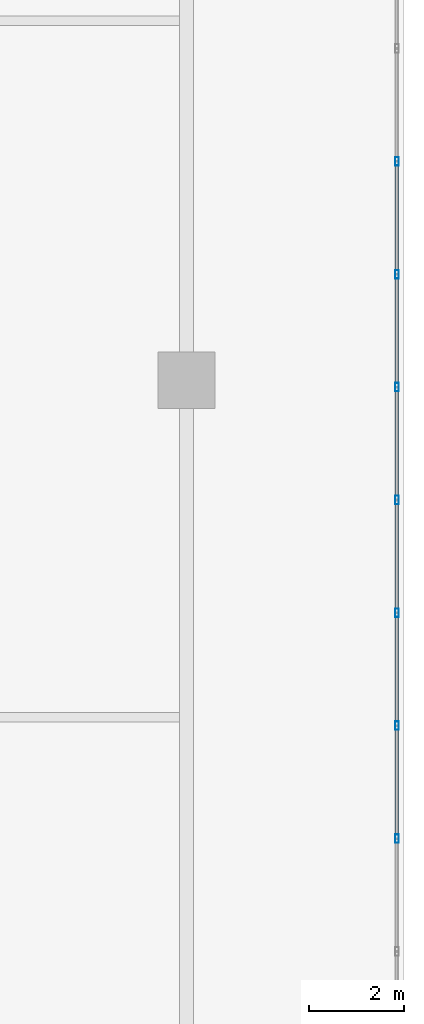
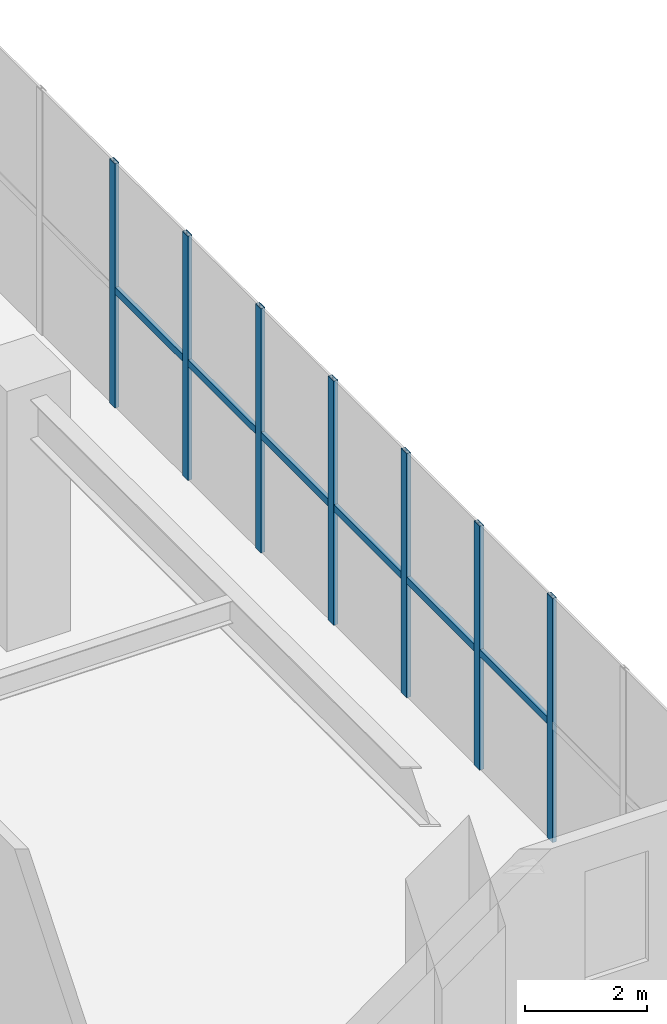
# One storey, part 22 of 40: 13 members, 1 element without a shape of its own.
"""IFC4 building model written with IfcOpenShell, lengths in metres."""

from ifc_helpers import new_model, si_unit, direction, frame, origin, origin_2d, place, context, subcontext, project, spatial, hollow_rectangle, extrude, source, transform, mapped, material, material_profile, profile_set, type_object, element, aggregate, save


model = new_model("IFC4")

# Units and contexts
model_context = context("Model", 3, precision=1e-05, world=origin(), true_north=direction((0.0, 1.0)))
body_context = subcontext(model_context, "Body", "Model", "MODEL_VIEW")
ifc_project = project(units=[si_unit("LENGTHUNIT", "METRE"), si_unit("AREAUNIT", "SQUARE_METRE"), si_unit("VOLUMEUNIT", "CUBIC_METRE"), si_unit("PLANEANGLEUNIT", "RADIAN"), si_unit("MASSUNIT", "GRAM", prefix="KILO")], contexts=[model_context])

# Site, building, storey
site_placement = place(None, origin())
site = spatial("IfcSite", under=ifc_project, at=site_placement, CompositionType="ELEMENT")
building_placement = place(site_placement, origin())
building = spatial("IfcBuilding", under=site, at=building_placement, Name="Trelvane Seafront Commons", CompositionType="ELEMENT")
storey_placement = place(building_placement, origin())
storey = spatial("IfcBuildingStorey", under=building, at=storey_placement, Name="L00", CompositionType="ELEMENT", Elevation=0.0)

# Curtain wall, members
ifc_material = material(Name="Anodised pale-silver aluminium", Category="aluminium")
curtain_wall_type = type_object("IfcCurtainWallType", Name="ARCH-CW4-SKYLOBBY", PredefinedType="NOTDEFINED", material=ifc_material)
curtain_wall_placement = place(storey_placement, origin())
curtain_wall = element("IfcCurtainWall", 1, at=curtain_wall_placement, inside=storey, type_object=curtain_wall_type, Name="CW-L00-0005", PredefinedType="NOTDEFINED")
ifc_material_profile_1 = material_profile(ifc_material, hollow_rectangle(XDim=0.080078125, YDim=0.179931640625, WallThickness=0.00439453125, at=origin_2d()), Name="MULL-80x180x4.5")
ifc_profile_set_1 = profile_set([ifc_material_profile_1], Name="Anodised pale-silver aluminium")
member_type_1 = type_object("IfcMemberType", Name="ARCH-CW-MULL-180", PredefinedType="MULLION", material=ifc_profile_set_1)
shared_shape_1 = source(origin(), body_context, "Body", "SweptSolid", [
    extrude(hollow_rectangle(XDim=0.080078125, YDim=0.179931640625, WallThickness=0.00439453125, at=origin_2d()), origin(), (0.0, 0.0, 1.0), 4.8798828125),
])
member_1_placement = place(storey_placement, frame((76.449951171875, 22.825927734375, 0.0), z_axis=(0.0, 0.0, 1.0), x_axis=(1.0, 0.0, 0.0)))
member_1 = element("IfcMember", 2, at=member_1_placement, type_object=member_type_1, Name="CW-L00-0005-M12", PredefinedType="MULLION", context=body_context, shape_type="MappedRepresentation", body=[
    mapped(shared_shape_1, transform((0.0, 0.0, 0.0), x_axis=(1.0, 0.0, 0.0), y_axis=(0.0, 1.0, 0.0), z_axis=(0.0, 0.0, 1.0), scale=1.0)),
])
member_2_placement = place(storey_placement, frame((76.449951171875, 20.43896484375, 0.0), z_axis=(0.0, 0.0, 1.0), x_axis=(1.0, 0.0, 0.0)))
member_2 = element("IfcMember", 3, at=member_2_placement, type_object=member_type_1, Name="CW-L00-0005-M13", PredefinedType="MULLION", context=body_context, shape_type="MappedRepresentation", body=[
    mapped(shared_shape_1, transform((0.0, 0.0, 0.0), x_axis=(1.0, 0.0, 0.0), y_axis=(0.0, 1.0, 0.0), z_axis=(0.0, 0.0, 1.0), scale=1.0)),
])
member_3_placement = place(storey_placement, frame((76.449951171875, 18.052001953125, 0.0), z_axis=(0.0, 0.0, 1.0), x_axis=(1.0, 0.0, 0.0)))
member_3 = element("IfcMember", 4, at=member_3_placement, type_object=member_type_1, Name="CW-L00-0005-M14", PredefinedType="MULLION", context=body_context, shape_type="MappedRepresentation", body=[
    mapped(shared_shape_1, transform((0.0, 0.0, 0.0), x_axis=(1.0, 0.0, 0.0), y_axis=(0.0, 1.0, 0.0), z_axis=(0.0, 0.0, 1.0), scale=1.0)),
])
member_4_placement = place(storey_placement, frame((76.449951171875, 15.6650390625, 0.0), z_axis=(0.0, 0.0, 1.0), x_axis=(1.0, 0.0, 0.0)))
member_4 = element("IfcMember", 5, at=member_4_placement, type_object=member_type_1, Name="CW-L00-0005-M15", PredefinedType="MULLION", context=body_context, shape_type="MappedRepresentation", body=[
    mapped(shared_shape_1, transform((0.0, 0.0, 0.0), x_axis=(1.0, 0.0, 0.0), y_axis=(0.0, 1.0, 0.0), z_axis=(0.0, 0.0, 1.0), scale=1.0)),
])
member_5_placement = place(storey_placement, frame((76.449951171875, 13.278076171875, 0.0), z_axis=(0.0, 0.0, 1.0), x_axis=(1.0, 0.0, 0.0)))
member_5 = element("IfcMember", 6, at=member_5_placement, type_object=member_type_1, Name="CW-L00-0005-M16", PredefinedType="MULLION", context=body_context, shape_type="MappedRepresentation", body=[
    mapped(shared_shape_1, transform((0.0, 0.0, 0.0), x_axis=(1.0, 0.0, 0.0), y_axis=(0.0, 1.0, 0.0), z_axis=(0.0, 0.0, 1.0), scale=1.0)),
])
member_6_placement = place(storey_placement, frame((76.449951171875, 10.89111328125, 0.0), z_axis=(0.0, 0.0, 1.0), x_axis=(1.0, 0.0, 0.0)))
member_6 = element("IfcMember", 7, at=member_6_placement, type_object=member_type_1, Name="CW-L00-0005-M17", PredefinedType="MULLION", context=body_context, shape_type="MappedRepresentation", body=[
    mapped(shared_shape_1, transform((0.0, 0.0, 0.0), x_axis=(1.0, 0.0, 0.0), y_axis=(0.0, 1.0, 0.0), z_axis=(0.0, 0.0, 1.0), scale=1.0)),
])
member_7_placement = place(storey_placement, frame((76.449951171875, 8.50390625, 0.0), z_axis=(0.0, 0.0, 1.0), x_axis=(1.0, 0.0, 0.0)))
member_7 = element("IfcMember", 8, at=member_7_placement, type_object=member_type_1, Name="CW-L00-0005-M18", PredefinedType="MULLION", context=body_context, shape_type="MappedRepresentation", body=[
    mapped(shared_shape_1, transform((0.0, 0.0, 0.0), x_axis=(1.0, 0.0, 0.0), y_axis=(0.0, 1.0, 0.0), z_axis=(0.0, 0.0, 1.0), scale=1.0)),
])
ifc_material_profile_2 = material_profile(ifc_material, hollow_rectangle(XDim=0.074951171875, YDim=0.139892578125, WallThickness=0.00390625, at=origin_2d()), Name="TRAN-75x140x4")
ifc_profile_set_2 = profile_set([ifc_material_profile_2], Name="Anodised pale-silver aluminium")
member_type_2 = type_object("IfcMemberType", Name="ARCH-CW-TRAN-140", PredefinedType="USERDEFINED", material=ifc_profile_set_2)
shared_shape_2 = source(origin(), body_context, "Body", "SweptSolid", [
    extrude(hollow_rectangle(XDim=0.074951171875, YDim=0.139892578125, WallThickness=0.00390625, at=origin_2d()), origin(), (0.0, 0.0, 1.0), 2.363037109375),
])
member_8_placement = place(storey_placement, frame((76.449951171875, 22.81396484375, 2.342041015625), z_axis=(0.0, -1.0, 0.0), x_axis=(1.0, 0.0, 0.0)))
member_8 = element("IfcMember", 9, at=member_8_placement, type_object=member_type_2, Name="CW-L00-0005-T12", ObjectType="TRANSOM", PredefinedType="USERDEFINED", context=body_context, shape_type="MappedRepresentation", body=[
    mapped(shared_shape_2, transform((0.0, 0.0, 0.0), x_axis=(1.0, 0.0, 0.0), y_axis=(0.0, 1.0, 0.0), z_axis=(0.0, 0.0, 1.0), scale=1.0)),
])
member_9_placement = place(storey_placement, frame((76.449951171875, 20.427001953125, 2.342041015625), z_axis=(0.0, -1.0, 0.0), x_axis=(1.0, 0.0, 0.0)))
member_9 = element("IfcMember", 10, at=member_9_placement, type_object=member_type_2, Name="CW-L00-0005-T13", ObjectType="TRANSOM", PredefinedType="USERDEFINED", context=body_context, shape_type="MappedRepresentation", body=[
    mapped(shared_shape_2, transform((0.0, 0.0, 0.0), x_axis=(1.0, 0.0, 0.0), y_axis=(0.0, 1.0, 0.0), z_axis=(0.0, 0.0, 1.0), scale=1.0)),
])
member_10_placement = place(storey_placement, frame((76.449951171875, 18.0400390625, 2.342041015625), z_axis=(0.0, -1.0, 0.0), x_axis=(1.0, 0.0, 0.0)))
member_10 = element("IfcMember", 11, at=member_10_placement, type_object=member_type_2, Name="CW-L00-0005-T14", ObjectType="TRANSOM", PredefinedType="USERDEFINED", context=body_context, shape_type="MappedRepresentation", body=[
    mapped(shared_shape_2, transform((0.0, 0.0, 0.0), x_axis=(1.0, 0.0, 0.0), y_axis=(0.0, 1.0, 0.0), z_axis=(0.0, 0.0, 1.0), scale=1.0)),
])
member_11_placement = place(storey_placement, frame((76.449951171875, 15.653076171875, 2.342041015625), z_axis=(0.0, -1.0, 0.0), x_axis=(1.0, 0.0, 0.0)))
member_11 = element("IfcMember", 12, at=member_11_placement, type_object=member_type_2, Name="CW-L00-0005-T15", ObjectType="TRANSOM", PredefinedType="USERDEFINED", context=body_context, shape_type="MappedRepresentation", body=[
    mapped(shared_shape_2, transform((0.0, 0.0, 0.0), x_axis=(1.0, 0.0, 0.0), y_axis=(0.0, 1.0, 0.0), z_axis=(0.0, 0.0, 1.0), scale=1.0)),
])
member_12_placement = place(storey_placement, frame((76.449951171875, 13.26611328125, 2.342041015625), z_axis=(0.0, -1.0, 0.0), x_axis=(1.0, 0.0, 0.0)))
member_12 = element("IfcMember", 13, at=member_12_placement, type_object=member_type_2, Name="CW-L00-0005-T16", ObjectType="TRANSOM", PredefinedType="USERDEFINED", context=body_context, shape_type="MappedRepresentation", body=[
    mapped(shared_shape_2, transform((0.0, 0.0, 0.0), x_axis=(1.0, 0.0, 0.0), y_axis=(0.0, 1.0, 0.0), z_axis=(0.0, 0.0, 1.0), scale=1.0)),
])
shared_shape_3 = source(origin(), body_context, "Body", "SweptSolid", [
    extrude(hollow_rectangle(XDim=0.074951171875, YDim=0.139892578125, WallThickness=0.00390625, at=origin_2d()), origin(), (0.0, 0.0, 1.0), 2.36279296875),
])
member_13_placement = place(storey_placement, frame((76.449951171875, 10.87890625, 2.342041015625), z_axis=(0.0, -1.0, 0.0), x_axis=(1.0, 0.0, 0.0)))
member_13 = element("IfcMember", 14, at=member_13_placement, type_object=member_type_2, Name="CW-L00-0005-T17", ObjectType="TRANSOM", PredefinedType="USERDEFINED", context=body_context, shape_type="MappedRepresentation", body=[
    mapped(shared_shape_3, transform((0.0, 0.0, 0.0), x_axis=(1.0, 0.0, 0.0), y_axis=(0.0, 1.0, 0.0), z_axis=(0.0, 0.0, 1.0), scale=1.0)),
])
aggregate(curtain_wall, [member_1, member_2, member_3, member_4, member_5, member_6, member_7, member_8, member_9, member_10, member_11, member_12, member_13])

save(model, "model.ifc")
